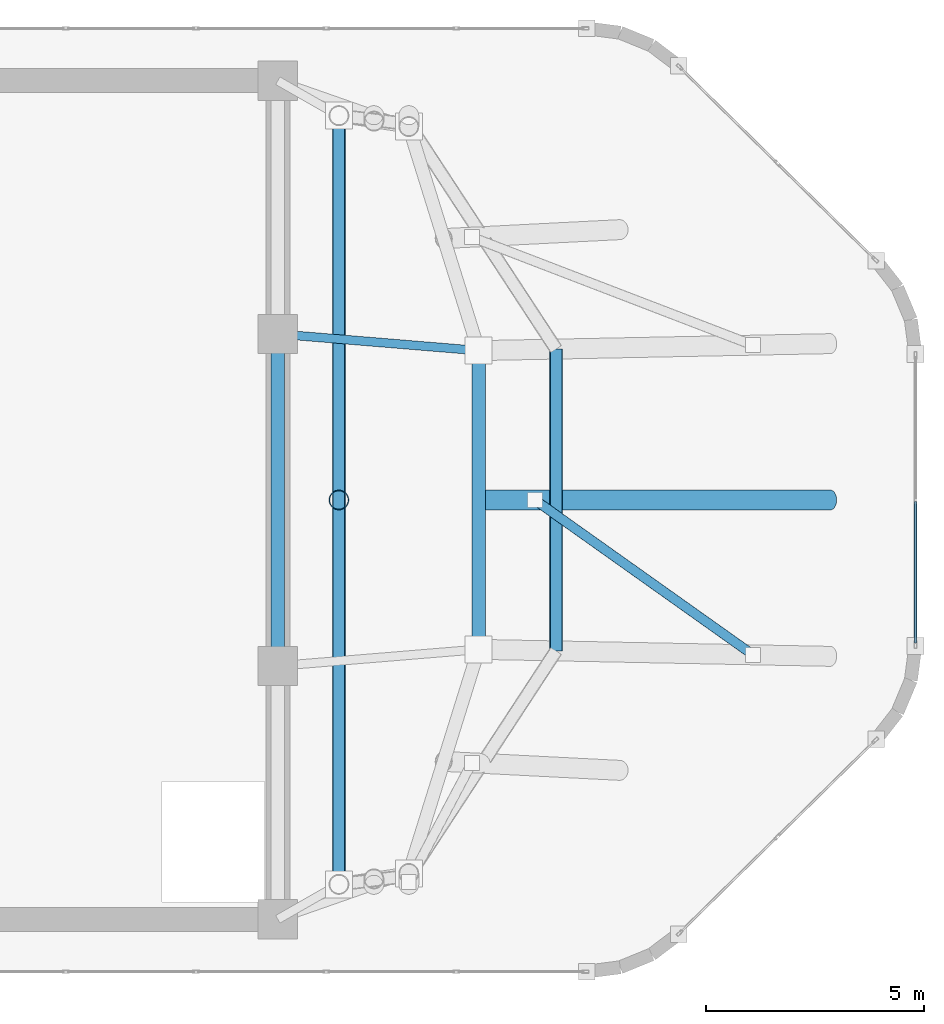
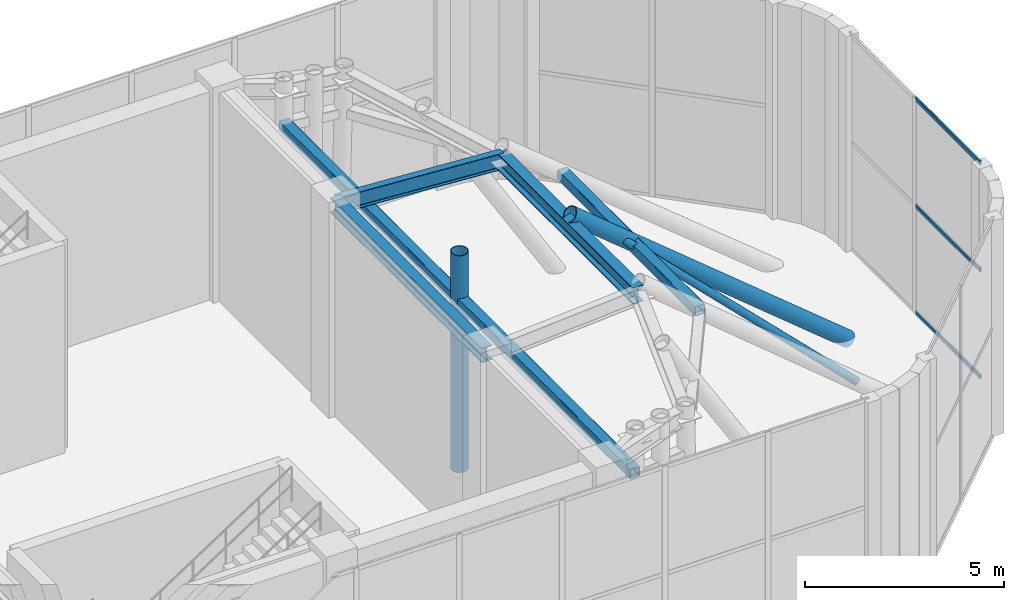
# One storey, part 10 of 19: 8 members, 3 beams, 1 element without a shape of its own.
"""IFC4 building model written with IfcOpenShell, lengths in metres."""

import ifcopenshell
import ifcopenshell.guid

model = None  # the IFC model being written
_history = None  # IfcOwnerHistory: only IFC2X3 demands one
_inside = {}  # id of a spatial element -> (the spatial element, [elements in it])
_under = {}  # id of a project, library or spatial element -> (it, [spatial elements below it])
_declared = {}  # id of a project -> (the project, [libraries it declares])
_typed = {}  # id of a type object -> (the type object, [elements of that type])
_made_of = {}  # id of a material, layer set ... -> (it, [elements and type objects made of it])


def new_model(schema):
    """Start an empty IFC model of exactly this schema.

    Asked for "IFC4X3", IfcOpenShell would pick the latest addendum, in which some entities
    have other attributes; the version numbers below select the first issue.
    IFC2X3 requires an IfcOwnerHistory on every rooted entity: one is made here for all.
    """
    global model, _history
    if schema == "IFC4X3":
        model = ifcopenshell.file(schema_version=(4, 3, 0, 0))
    else:
        model = ifcopenshell.file(schema=schema)
    _inside.clear()
    _under.clear()
    _declared.clear()
    _typed.clear()
    _made_of.clear()
    _history = None
    if model.schema == "IFC2X3":
        org = make("IfcOrganization", Name="unknown")
        user = make(
            "IfcPersonAndOrganization",
            ThePerson=make("IfcPerson", FamilyName="unknown"),
            TheOrganization=org,
        )
        app = make(
            "IfcApplication",
            ApplicationDeveloper=org,
            Version="unknown",
            ApplicationFullName="unknown",
            ApplicationIdentifier="unknown",
        )
        _history = make(
            "IfcOwnerHistory",
            OwningUser=user,
            OwningApplication=app,
            ChangeAction="ADDED",
            CreationDate=0,
        )
    return model


def make(cls, **values):
    """One entity of the class cls with the attributes given. An attribute that is None is left unset."""
    return model.create_entity(
        cls, **{name: value for name, value in values.items() if value is not None}
    )


def rooted(cls, **values):
    """An entity with a GlobalId (a new one), such as an element, a storey or a relation."""
    return make(cls, GlobalId=ifcopenshell.guid.new(), OwnerHistory=_history, **values)


def si_unit(unit_type, name, prefix=None):
    """IfcSIUnit, for example si_unit("LENGTHUNIT", "METRE", prefix="MILLI")."""
    return make("IfcSIUnit", UnitType=unit_type, Prefix=prefix, Name=name)


def assignment(units):
    """IfcUnitAssignment: the units of a project."""
    return None if units is None else make("IfcUnitAssignment", Units=units)


def point(xyz):
    """IfcCartesianPoint."""
    return None if xyz is None else make("IfcCartesianPoint", Coordinates=xyz)


def direction(xyz):
    """IfcDirection."""
    return None if xyz is None else make("IfcDirection", DirectionRatios=xyz)


def frame(location, z_axis=None, x_axis=None):
    """IfcAxis2Placement3D, a coordinate frame: its origin and axes. An axis left out is left unset."""
    return make(
        "IfcAxis2Placement3D",
        Location=point(location),
        Axis=direction(z_axis),
        RefDirection=direction(x_axis),
    )


def frame_2d(location, x_axis=None):
    """IfcAxis2Placement2D, a coordinate frame in the plane: its origin and x axis."""
    return make(
        "IfcAxis2Placement2D", Location=point(location), RefDirection=direction(x_axis)
    )


def origin():
    """The frame at (0, 0, 0) with its axes left unset."""
    return frame((0.0, 0.0, 0.0))


def origin_2d():
    """The frame at (0, 0) in the plane with its x axis left unset."""
    return frame_2d((0.0, 0.0))


def place(relative_to, where):
    """IfcLocalPlacement: puts the frame where relative to a parent placement (None: the world)."""
    return make(
        "IfcLocalPlacement", PlacementRelTo=relative_to, RelativePlacement=where
    )


def context(
    kind, dimensions, precision=None, world=None, true_north=None, identifier=None
):
    """IfcGeometricRepresentationContext, for example the 3D "Model" context."""
    return make(
        "IfcGeometricRepresentationContext",
        ContextIdentifier=identifier,
        ContextType=kind,
        CoordinateSpaceDimension=dimensions,
        Precision=precision,
        WorldCoordinateSystem=world,
        TrueNorth=true_north,
    )


def subcontext(parent, identifier, kind, view, scale=None):
    """IfcGeometricRepresentationSubContext, for example "Body" below "Model"."""
    return make(
        "IfcGeometricRepresentationSubContext",
        ContextIdentifier=identifier,
        ContextType=kind,
        ParentContext=parent,
        TargetScale=scale,
        TargetView=view,
    )


def project(units=None, contexts=None):
    """IfcProject with its units and contexts."""
    return rooted(
        "IfcProject",
        Name="project",
        RepresentationContexts=contexts,
        UnitsInContext=assignment(units),
    )


def spatial(cls, under=None, at=None, **own):
    """A site, building, storey or space (cls), placed at a placement, below another one or the project."""
    s = rooted(cls, ObjectPlacement=at, **own)
    if under is not None:
        _under.setdefault(under.id(), (under, []))[1].append(s)
    return s


def profile(cls, at=None, kind="AREA", **sizes):
    """A parametric profile (cls). Its sizes go by their IFC names, for example OverallWidth=200.0."""
    return make(cls, ProfileType=kind, Position=at, **sizes)


def hollow_rectangle(**sizes):
    """IfcRectangleHollowProfileDef."""
    return profile("IfcRectangleHollowProfileDef", **sizes)


def hollow_circle(**sizes):
    """IfcCircleHollowProfileDef."""
    return profile("IfcCircleHollowProfileDef", **sizes)


def i_section(**sizes):
    """IfcIShapeProfileDef."""
    return profile("IfcIShapeProfileDef", **sizes)


def extrude(swept, where, along, depth):
    """IfcExtrudedAreaSolid: the profile swept, set in the frame where, extruded along a direction by depth."""
    return make(
        "IfcExtrudedAreaSolid",
        SweptArea=swept,
        Position=where,
        ExtrudedDirection=direction(along),
        Depth=depth,
    )


def shape(context_of_items, identifier, shape_type, items):
    """IfcShapeRepresentation: the items that make up one representation, for example the "Body"."""
    return make(
        "IfcShapeRepresentation",
        ContextOfItems=context_of_items,
        RepresentationIdentifier=identifier,
        RepresentationType=shape_type,
        Items=items,
    )


def material(Name=None, Category=None):
    """IfcMaterial."""
    return make("IfcMaterial", Name=Name, Category=Category)


def layer(
    of_material, thickness, ventilated=None, Name=None, Category=None, Priority=None
):
    """IfcMaterialLayer: one layer of a wall or slab, of a material (None: an air gap)."""
    return make(
        "IfcMaterialLayer",
        Material=of_material,
        LayerThickness=thickness,
        IsVentilated=ventilated,
        Name=Name,
        Category=Category,
        Priority=Priority,
    )


def layer_set(layers, Name=None):
    """IfcMaterialLayerSet."""
    return make("IfcMaterialLayerSet", MaterialLayers=layers, LayerSetName=Name)


def material_profile(
    of_material, cross_section, Name=None, Category=None, Priority=None
):
    """IfcMaterialProfile: a cross section and its material."""
    return make(
        "IfcMaterialProfile",
        Name=Name,
        Material=of_material,
        Profile=cross_section,
        Priority=Priority,
        Category=Category,
    )


def profile_set(profiles, Name=None, composite=None):
    """IfcMaterialProfileSet."""
    return make(
        "IfcMaterialProfileSet",
        Name=Name,
        MaterialProfiles=profiles,
        CompositeProfile=composite,
    )


def made_of(thing, what):
    """Note that an element or type object is made of a material, layer set ...; save() writes the relation."""
    if what is not None:
        _made_of.setdefault(what.id(), (what, []))[1].append(thing)
    return thing


def type_object(cls, material=None, **own):
    """A type object (cls), such as IfcWallType, which elements share."""
    return made_of(rooted(cls, **own), material)


def element(
    cls,
    number,
    at=None,
    inside=None,
    cuts=None,
    type_object=None,
    material=None,
    context=None,
    identifier="Body",
    shape_type=None,
    held_by="IfcProductDefinitionShape",
    body=None,
    shapes=None,
    **own,
):
    """One element of the class cls, such as IfcWall. Its Tag is "e" and its number.

    at: its placement. inside: the storey or other place that contains it. cuts: it is an
    opening in that element (IfcRelVoidsElement). A single representation is given by context,
    identifier, shape_type and body (its items); several are given by shapes. held_by: the class
    of the entity that holds the representations. save() writes the other relations.
    """
    e = rooted(cls, Tag="e%d" % number, ObjectPlacement=at, **own)
    if body is not None:
        shapes = [shape(context, identifier, shape_type, body)]
    if shapes is not None:
        e.Representation = make(held_by, Representations=shapes)
    if inside is not None:
        _inside.setdefault(inside.id(), (inside, []))[1].append(e)
    if cuts is not None:
        rooted(
            "IfcRelVoidsElement", RelatingBuildingElement=cuts, RelatedOpeningElement=e
        )
    if type_object is not None:
        _typed.setdefault(type_object.id(), (type_object, []))[1].append(e)
    return made_of(e, material)


def aggregate(whole, parts):
    """IfcRelAggregates: a whole, such as a stair, and the parts it consists of."""
    return rooted("IfcRelAggregates", RelatingObject=whole, RelatedObjects=parts)


def save(model, path):
    """Write the relations noted so far, then the file.

    IfcRelAggregates (storeys below a building ...), IfcRelContainedInSpatialStructure (elements
    in a storey), IfcRelDefinesByType, IfcRelAssociatesMaterial and IfcRelDeclares: one each for
    every whole, place, type object, material and project.
    """
    for whole, parts in _under.values():
        aggregate(whole, parts)
    for where, things in _inside.values():
        rooted(
            "IfcRelContainedInSpatialStructure",
            RelatedElements=things,
            RelatingStructure=where,
        )
    for kind, things in _typed.values():
        rooted("IfcRelDefinesByType", RelatedObjects=things, RelatingType=kind)
    for what, things in _made_of.values():
        rooted("IfcRelAssociatesMaterial", RelatedObjects=things, RelatingMaterial=what)
    for by, libraries in _declared.values():
        rooted("IfcRelDeclares", RelatingContext=by, RelatedDefinitions=libraries)
    model.write(path)


model = new_model("IFC4")

# Units and contexts
model_context = context("Model", 3, precision=1e-05, world=origin(), true_north=direction((0.0, 1.0)))
body_context = subcontext(model_context, "Body", "Model", "MODEL_VIEW")
ifc_project = project(units=[si_unit("LENGTHUNIT", "METRE"), si_unit("AREAUNIT", "SQUARE_METRE"), si_unit("VOLUMEUNIT", "CUBIC_METRE"), si_unit("PLANEANGLEUNIT", "RADIAN"), si_unit("MASSUNIT", "GRAM", prefix="KILO")], contexts=[model_context])

# Site, building, storey
site_placement = place(None, origin())
site = spatial("IfcSite", under=ifc_project, at=site_placement, CompositionType="ELEMENT")
building_placement = place(site_placement, origin())
building = spatial("IfcBuilding", under=site, at=building_placement, Name="An Khanh Terracotta Commons", CompositionType="ELEMENT")
storey_placement = place(building_placement, frame((0.0, 0.0, 328.800048828125)))
storey = spatial("IfcBuildingStorey", under=building, at=storey_placement, Name="L82 Crown Faceted Taper", CompositionType="ELEMENT", Elevation=328.800048828125)

# Beams
ifc_material_1 = material(Name="Steel S355J2", Category="steel")
ifc_material_profile_1 = material_profile(ifc_material_1, i_section(OverallWidth=0.300048828125, OverallDepth=0.449951171875, WebThickness=0.013916015625, FlangeThickness=0.02587890625, FilletRadius=0.027099609375, at=origin_2d()), Name="HEB450")
ifc_profile_set_1 = profile_set([ifc_material_profile_1], Name="Steel S355J2")
beam_type_1 = type_object("IfcBeamType", Name="BM-HEB450", PredefinedType="BEAM", material=ifc_profile_set_1)
beam_1_placement = place(storey_placement, frame((37.199951171875, 20.199951171875, 6.155029296875), z_axis=(0.0, 1.0, 0.0), x_axis=(-1.0, 0.0, 0.0)))
element("IfcBeam", 1, at=beam_1_placement, inside=storey, type_object=beam_type_1, Name="L82 Crown Faceted Taper Core East Coupling Girder 2", PredefinedType="BEAM", context=body_context, shape_type="SweptSolid", body=[
    extrude(i_section(OverallWidth=0.300048828125, OverallDepth=0.449951171875, WebThickness=0.013916015625, FlangeThickness=0.02587890625, FilletRadius=0.027099609375, at=origin_2d()), origin(), (0.0, 0.0, 1.0), 7.60009765625),
])
ifc_material_profile_2 = material_profile(ifc_material_1, i_section(OverallWidth=0.300048828125, OverallDepth=0.5, WebThickness=0.014404296875, FlangeThickness=0.028076171875, FilletRadius=0.027099609375, at=origin_2d()), Name="HEB500")
ifc_profile_set_2 = profile_set([ifc_material_profile_2], Name="Steel S355J2")
beam_type_2 = type_object("IfcBeamType", Name="BM-HEB500", PredefinedType="BEAM", material=ifc_profile_set_2)
beam_2_placement = place(storey_placement, frame((41.800048828125, 20.580078125, 6.1298828125), z_axis=(0.0, 1.0, 0.0), x_axis=(-1.0, 0.0, 0.0)))
element("IfcBeam", 2, at=beam_2_placement, inside=storey, type_object=beam_type_2, Name="L82 Crown Faceted Taper CROWN FRAME Ring Beam 3", PredefinedType="BEAM", context=body_context, shape_type="SweptSolid", body=[
    extrude(i_section(OverallWidth=0.300048828125, OverallDepth=0.5, WebThickness=0.014404296875, FlangeThickness=0.028076171875, FilletRadius=0.027099609375, at=origin_2d()), origin(), (0.0, 0.0, 1.0), 6.83984375),
])
ifc_material_profile_3 = material_profile(ifc_material_1, i_section(OverallWidth=0.199951171875, OverallDepth=0.5, WebThickness=0.01025390625, FlangeThickness=0.01611328125, FilletRadius=0.02099609375, at=origin_2d()), Name="IPE500")
ifc_profile_set_3 = profile_set([ifc_material_profile_3], Name="Steel S355J2")
beam_type_3 = type_object("IfcBeamType", Name="BM-IPE500", PredefinedType="BEAM", material=ifc_profile_set_3)
beam_3_placement = place(storey_placement, frame((37.199951171875, 27.800048828125, 6.1298828125), z_axis=(0.996603152989, -0.082353842968, 0.0), x_axis=(0.082353842968, 0.996603152989, 0.0)))
element("IfcBeam", 3, at=beam_3_placement, inside=storey, type_object=beam_type_3, Name="L82 Crown Faceted Taper Crown Radial Tie Beam 4", PredefinedType="BEAM", context=body_context, shape_type="SweptSolid", body=[
    extrude(i_section(OverallWidth=0.199951171875, OverallDepth=0.5, WebThickness=0.01025390625, FlangeThickness=0.01611328125, FilletRadius=0.02099609375, at=origin_2d()), origin(), (0.0, 0.0, 1.0), 4.61572265625),
])

# Members
ifc_material_2 = material(Name="Steel S460ML", Category="steel")
ifc_material_profile_4 = material_profile(ifc_material_2, hollow_circle(Radius=0.109619140625, WallThickness=0.010009765625, at=origin_2d()), Name="CHS219.1x10")
ifc_profile_set_4 = profile_set([ifc_material_profile_4], Name="Steel S460ML")
member_type_1 = type_object("IfcMemberType", Name="CROWN FRAME BRACE CHS219", PredefinedType="BRACE", material=ifc_profile_set_4)
member_1_placement = place(storey_placement, frame((48.0791015625, 20.455078125, 1.341064453125), z_axis=(-0.676542702072, 0.480502838685, 0.558038524019), x_axis=(-0.579048117645, -0.815293368949, 0.0)))
element("IfcMember", 4, at=member_1_placement, inside=storey, type_object=member_type_1, Name="L82 Crown Faceted Taper CROWN FRAME Wind Diagonal 3", PredefinedType="BRACE", context=body_context, shape_type="SweptSolid", body=[
    extrude(hollow_circle(Radius=0.109619140625, WallThickness=0.010009765625, at=origin_2d()), origin(), (0.0, 0.0, 1.0), 7.37744140625),
])
ifc_material_profile_5 = material_profile(ifc_material_2, hollow_circle(Radius=0.228515625, WallThickness=0.02001953125, at=origin_2d()), Name="CHS457x20")
ifc_profile_set_5 = profile_set([ifc_material_profile_5], Name="Steel S460ML")
member_type_2 = type_object("IfcMemberType", Name="CROWN FRAME RIB CHS457", PredefinedType="STRUT", material=ifc_profile_set_5)
member_2_placement = place(storey_placement, frame((49.85009765625, 24.0, -0.1201171875), z_axis=(-0.771427540962, 0.0, 0.63631717645), x_axis=(0.0, -1.0, 0.0)))
element("IfcMember", 5, at=member_2_placement, inside=storey, type_object=member_type_2, Name="L82 Crown Faceted Taper CROWN FRAME Facet Strut 3", PredefinedType="STRUT", context=body_context, shape_type="SweptSolid", body=[
    extrude(hollow_circle(Radius=0.228515625, WallThickness=0.02001953125, at=origin_2d()), origin(), (0.0, 0.0, 1.0), 10.435302734375),
])
member_3_placement = place(storey_placement, frame((38.60009765625, 24.0, -0.1201171875), z_axis=(0.0, 0.0, 1.0), x_axis=(1.0, 0.0, 0.0)))
element("IfcMember", 6, at=member_3_placement, inside=storey, type_object=member_type_2, Name="L82 Crown Faceted Taper CROWN FRAME Facet Strut 6", PredefinedType="STRUT", context=body_context, shape_type="SweptSolid", body=[
    extrude(hollow_circle(Radius=0.228515625, WallThickness=0.02001953125, at=origin_2d()), origin(), (0.0, 0.0, 1.0), 6.64013671875),
])
ifc_material_profile_6 = material_profile(ifc_material_2, hollow_rectangle(XDim=0.300048828125, YDim=0.300048828125, WallThickness=0.01611328125, InnerFilletRadius=0.01611328125, OuterFilletRadius=0.031982421875, at=origin_2d()), Name="SHS300x300x16")
ifc_profile_set_6 = profile_set([ifc_material_profile_6], Name="Steel S460ML")
member_type_3 = type_object("IfcMemberType", Name="CROWN FRAME RING SHS300", PredefinedType="CHORD", material=ifc_profile_set_6)
member_4_placement = place(storey_placement, frame((43.571044921875, 20.544921875, 5.058837890625), z_axis=(0.0, 1.0, 0.0), x_axis=(-1.0, 0.0, 0.0)))
element("IfcMember", 7, at=member_4_placement, inside=storey, type_object=member_type_3, Name="L82 Crown Faceted Taper CROWN FRAME Sill Ring Chord 3", PredefinedType="CHORD", context=body_context, shape_type="SweptSolid", body=[
    extrude(hollow_rectangle(XDim=0.300048828125, YDim=0.300048828125, WallThickness=0.01611328125, InnerFilletRadius=0.01611328125, OuterFilletRadius=0.031982421875, at=origin_2d()), origin(), (0.0, 0.0, 1.0), 6.91015625),
])
member_5_placement = place(storey_placement, frame((38.60009765625, 32.800048828125, 5.058837890625), z_axis=(0.0, -1.0, 0.0), x_axis=(1.0, 0.0, 0.0)))
element("IfcMember", 8, at=member_5_placement, inside=storey, type_object=member_type_3, Name="L82 Crown Faceted Taper CROWN FRAME Sill Ring Chord 6", PredefinedType="CHORD", context=body_context, shape_type="SweptSolid", body=[
    extrude(hollow_rectangle(XDim=0.300048828125, YDim=0.300048828125, WallThickness=0.01611328125, InnerFilletRadius=0.01611328125, OuterFilletRadius=0.031982421875, at=origin_2d()), origin(), (0.0, 0.0, 1.0), 17.60009765625),
])

# Curtain wall, members
ifc_material_3 = material(Name="Anodised Aluminium 6063-T6", Category="aluminium")
ifc_layer = layer(ifc_material_3, 0.18994140625, Name="Anodised Aluminium 6063-T6")
ifc_layer_set = layer_set([ifc_layer], Name="Anodised Aluminium 6063-T6")
curtain_wall_type = type_object("IfcCurtainWallType", Name="CW-SYS-06", PredefinedType="USERDEFINED", material=ifc_layer_set)
curtain_wall_placement = place(storey_placement, origin())
curtain_wall = element("IfcCurtainWall", 9, at=curtain_wall_placement, inside=storey, type_object=curtain_wall_type, Name="L82 Crown Faceted Taper CW-06 Unitised Curtain Wall CW-L82-12", ObjectType="UNITISED CURTAIN WALL", PredefinedType="USERDEFINED")
ifc_material_profile_7 = material_profile(ifc_material_3, hollow_rectangle(XDim=0.06005859375, YDim=0.1201171875, WallThickness=0.003662109375, InnerFilletRadius=0.003662109375, OuterFilletRadius=0.007080078125, at=origin_2d()), Name="RHS120x60x3.6")
ifc_profile_set_7 = profile_set([ifc_material_profile_7], Name="Anodised Aluminium 6063-T6")
member_type_4 = type_object("IfcMemberType", Name="CWT-RHS120x60x3.6", PredefinedType="USERDEFINED", material=ifc_profile_set_7)
member_6_placement = place(storey_placement, frame((51.800048828125, 20.721923828125, 0.030029296875), z_axis=(0.0, 1.0, 0.0), x_axis=(-1.0, 0.0, 0.0)))
member_6 = element("IfcMember", 10, at=member_6_placement, type_object=member_type_4, Name="CW-06 transom 1.1", ObjectType="TRANSOM", PredefinedType="USERDEFINED", context=body_context, shape_type="SweptSolid", body=[
    extrude(hollow_rectangle(XDim=0.06005859375, YDim=0.1201171875, WallThickness=0.003662109375, InnerFilletRadius=0.003662109375, OuterFilletRadius=0.007080078125, at=origin_2d()), origin(), (0.0, 0.0, 1.0), 3.24560546875),
])
member_7_placement = place(storey_placement, frame((51.800048828125, 20.721923828125, 3.300048828125), z_axis=(0.0, 1.0, 0.0), x_axis=(-1.0, 0.0, 0.0)))
member_7 = element("IfcMember", 11, at=member_7_placement, type_object=member_type_4, Name="CW-06 transom 1.2", ObjectType="TRANSOM", PredefinedType="USERDEFINED", context=body_context, shape_type="SweptSolid", body=[
    extrude(hollow_rectangle(XDim=0.06005859375, YDim=0.1201171875, WallThickness=0.003662109375, InnerFilletRadius=0.003662109375, OuterFilletRadius=0.007080078125, at=origin_2d()), origin(), (0.0, 0.0, 1.0), 3.24560546875),
])
member_8_placement = place(storey_placement, frame((51.800048828125, 20.721923828125, 6.570068359375), z_axis=(0.0, 1.0, 0.0), x_axis=(-1.0, 0.0, 0.0)))
member_8 = element("IfcMember", 12, at=member_8_placement, type_object=member_type_4, Name="CW-06 transom 1.3", ObjectType="TRANSOM", PredefinedType="USERDEFINED", context=body_context, shape_type="SweptSolid", body=[
    extrude(hollow_rectangle(XDim=0.06005859375, YDim=0.1201171875, WallThickness=0.003662109375, InnerFilletRadius=0.003662109375, OuterFilletRadius=0.007080078125, at=origin_2d()), origin(), (0.0, 0.0, 1.0), 3.24560546875),
])
aggregate(curtain_wall, [member_6, member_7, member_8])

save(model, "model.ifc")
